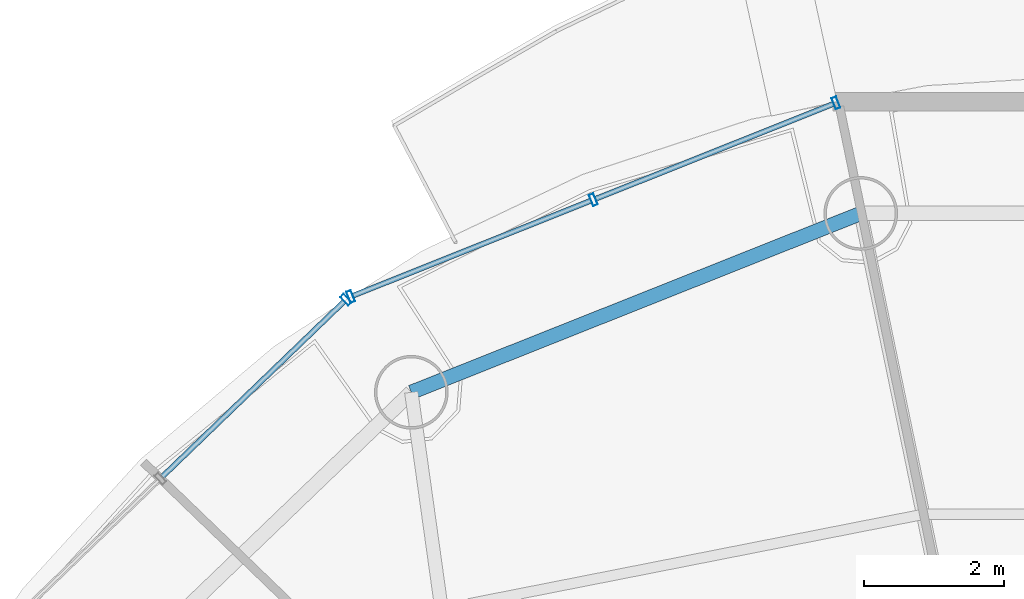
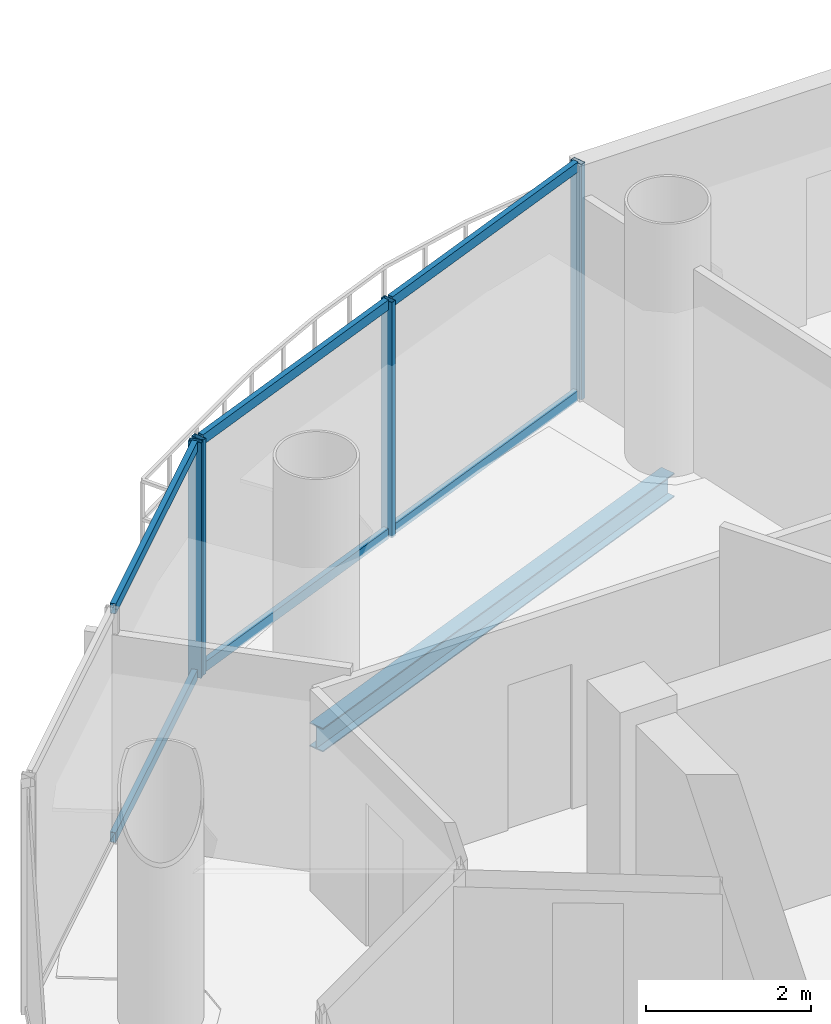
# One storey, part 13 of 23: 10 members, 1 beam, 2 elements without a shape of their own.
"""IFC4 building model written with IfcOpenShell, lengths in metres."""

from ifc_helpers import new_model, si_unit, direction, frame, origin, origin_2d, place, context, subcontext, project, spatial, hollow_rectangle, i_section, extrude, source, transform, mapped, material, material_profile, profile_set, type_object, element, aggregate, save


model = new_model("IFC4")

# Units and contexts
model_context = context("Model", 3, precision=1e-05, world=origin(), true_north=direction((-0.2419218956, 0.970295726276)))
body_context = subcontext(model_context, "Body", "Model", "MODEL_VIEW")
ifc_project = project(units=[si_unit("LENGTHUNIT", "METRE"), si_unit("AREAUNIT", "SQUARE_METRE"), si_unit("VOLUMEUNIT", "CUBIC_METRE"), si_unit("PLANEANGLEUNIT", "RADIAN"), si_unit("MASSUNIT", "GRAM", prefix="KILO")], contexts=[model_context])

# Site, building, storey
site_placement = place(None, origin())
site = spatial("IfcSite", under=ifc_project, at=site_placement, CompositionType="ELEMENT")
building_placement = place(site_placement, origin())
building = spatial("IfcBuilding", under=site, at=building_placement, Name="Cobrevalo Terracotta Tower", CompositionType="ELEMENT")
storey_placement = place(building_placement, frame((0.0, 0.0, 259.449951171875)))
storey = spatial("IfcBuildingStorey", under=building, at=storey_placement, Name="L68", CompositionType="ELEMENT", Elevation=259.449951171875)

# Beam
ifc_material_1 = material(Name="Steel S355", Category="steel")
ifc_material_profile_1 = material_profile(ifc_material_1, i_section(OverallWidth=0.205078125, OverallDepth=0.35400390625, WebThickness=0.009521484375, FlangeThickness=0.016845703125, at=origin_2d()), Name="W 360x79")
ifc_profile_set_1 = profile_set([ifc_material_profile_1], Name="Steel S355")
beam_type = type_object("IfcBeamType", Name="Structural Spandrel W 360x79 (Steel S355)", PredefinedType="SPANDREL", material=ifc_profile_set_1)
beam_placement = place(storey_placement, frame((34.537109375, 43.5224609375, -0.43701171875), z_axis=(-0.929149986048, -0.369702993533, 0.0), x_axis=(0.369702993533, -0.929149986048, 0.0)))
element("IfcBeam", 1, at=beam_placement, inside=storey, type_object=beam_type, Name="L68 perimeter ring spandrel 05", PredefinedType="SPANDREL", context=body_context, shape_type="SweptSolid", body=[
    extrude(i_section(OverallWidth=0.205078125, OverallDepth=0.35400390625, WebThickness=0.009521484375, FlangeThickness=0.016845703125, at=origin_2d()), origin(), (0.0, 0.0, 1.0), 6.88623046875),
])

# Curtain wall, members
ifc_material_2 = material(Name="Anodized aluminium", Category="aluminium")
curtain_wall_type = type_object("IfcCurtainWallType", Name="Upper-tower triple-glazed penthouse curtain wall CW-U3", PredefinedType="NOTDEFINED", material=ifc_material_2)
curtain_wall_1_placement = place(storey_placement, origin())
curtain_wall_1 = element("IfcCurtainWall", 2, at=curtain_wall_1_placement, inside=storey, type_object=curtain_wall_type, Name="L68 curtain wall CW-L68-S05", PredefinedType="NOTDEFINED")
ifc_material_profile_2 = material_profile(ifc_material_2, hollow_rectangle(XDim=0.070068359375, YDim=0.169921875, WallThickness=0.00439453125, at=origin_2d()), Name="CWM 70x170")
ifc_profile_set_2 = profile_set([ifc_material_profile_2], Name="Anodized aluminium")
member_type_1 = type_object("IfcMemberType", Name="Upper tower unitised mullion 70x170", PredefinedType="MULLION", material=ifc_profile_set_2)
shared_shape_1 = source(origin(), body_context, "Body", "SweptSolid", [
    extrude(hollow_rectangle(XDim=0.070068359375, YDim=0.169921875, WallThickness=0.00439453125, at=origin_2d()), origin(), (0.0, 0.0, 1.0), 3.489990234375),
])
member_1_placement = place(storey_placement, frame((34.183837890625, 45.096435546875, 0.0), z_axis=(0.0, 0.0, 1.0), x_axis=(-0.928718980883, -0.370784377433, 0.0)))
member_1 = element("IfcMember", 3, at=member_1_placement, type_object=member_type_1, Name="CW-L68-S05 vertical mullion 01", PredefinedType="MULLION", context=body_context, shape_type="MappedRepresentation", body=[
    mapped(shared_shape_1, transform((0.0, 0.0, 0.0), scale=1.0)),
])
member_2_placement = place(storey_placement, frame((30.729736328125, 43.71728515625, 0.0), z_axis=(0.0, 0.0, 1.0), x_axis=(-0.928718980883, -0.370784377433, 0.0)))
member_2 = element("IfcMember", 4, at=member_2_placement, type_object=member_type_1, Name="CW-L68-S05 vertical mullion 02", PredefinedType="MULLION", context=body_context, shape_type="MappedRepresentation", body=[
    mapped(shared_shape_1, transform((0.0, 0.0, 0.0), scale=1.0)),
])
member_3_placement = place(storey_placement, frame((27.275634765625, 42.33837890625, 0.0), z_axis=(0.0, 0.0, 1.0), x_axis=(-0.928718980883, -0.370784377433, 0.0)))
member_3 = element("IfcMember", 5, at=member_3_placement, type_object=member_type_1, Name="CW-L68-S05 vertical mullion 03", PredefinedType="MULLION", context=body_context, shape_type="MappedRepresentation", body=[
    mapped(shared_shape_1, transform((0.0, 0.0, 0.0), scale=1.0)),
])

curtain_wall_2_placement = place(storey_placement, origin())
curtain_wall_2 = element("IfcCurtainWall", 6, at=curtain_wall_2_placement, inside=storey, type_object=curtain_wall_type, Name="L68 curtain wall CW-L68-S06", PredefinedType="NOTDEFINED")
member_4_placement = place(storey_placement, frame((27.209716796875, 42.2958984375, 0.0), z_axis=(0.0, 0.0, 1.0), x_axis=(-0.71999418085, -0.69398010025, 0.0)))
member_4 = element("IfcMember", 7, at=member_4_placement, type_object=member_type_1, Name="CW-L68-S06 vertical mullion 01", PredefinedType="MULLION", context=body_context, shape_type="MappedRepresentation", body=[
    mapped(shared_shape_1, transform((0.0, 0.0, 0.0), scale=1.0)),
])
ifc_material_profile_3 = material_profile(ifc_material_2, hollow_rectangle(XDim=0.074951171875, YDim=0.14990234375, WallThickness=0.00439453125, at=origin_2d()), Name="CWT 75x150")
ifc_profile_set_3 = profile_set([ifc_material_profile_3], Name="Anodized aluminium")
member_type_2 = type_object("IfcMemberType", Name="Tower unitised aluminium transom 75x150", PredefinedType="USERDEFINED", material=ifc_profile_set_3)
shared_shape_2 = source(origin(), body_context, "Body", "SweptSolid", [
    extrude(hollow_rectangle(XDim=0.074951171875, YDim=0.14990234375, WallThickness=0.00439453125, at=origin_2d()), origin(), (0.0, 0.0, 1.0), 3.59130859375),
])
member_5_placement = place(storey_placement, frame((27.180908203125, 42.26806640625, 0.050048828125), z_axis=(-0.720005628362, -0.693968223427, 0.0), x_axis=(0.693968223427, -0.720005628362, 0.0)))
member_5 = element("IfcMember", 8, at=member_5_placement, type_object=member_type_2, Name="CW-L68-S06 transom B01-T1", ObjectType="TRANSOM", PredefinedType="USERDEFINED", context=body_context, shape_type="MappedRepresentation", body=[
    mapped(shared_shape_2, transform((0.0, 0.0, 0.0), scale=1.0)),
])
member_6_placement = place(storey_placement, frame((27.180908203125, 42.26806640625, 3.43994140625), z_axis=(-0.720005628362, -0.693968223427, 0.0), x_axis=(0.693968223427, -0.720005628362, 0.0)))
member_6 = element("IfcMember", 9, at=member_6_placement, type_object=member_type_2, Name="CW-L68-S06 transom B01-T2", ObjectType="TRANSOM", PredefinedType="USERDEFINED", context=body_context, shape_type="MappedRepresentation", body=[
    mapped(shared_shape_2, transform((0.0, 0.0, 0.0), scale=1.0)),
])
aggregate(curtain_wall_2, [member_4, member_5, member_6])

# Member
shared_shape_3 = source(origin(), body_context, "Body", "SweptSolid", [
    extrude(hollow_rectangle(XDim=0.074951171875, YDim=0.14990234375, WallThickness=0.00439453125, at=origin_2d()), origin(), (0.0, 0.0, 1.0), 3.63916015625),
])
member_7_placement = place(storey_placement, frame((34.146728515625, 45.08154296875, 0.050048828125), z_axis=(-0.928712471544, -0.370800681227, 0.0), x_axis=(0.370800681227, -0.928712471544, 0.0)))
member_7 = element("IfcMember", 10, at=member_7_placement, type_object=member_type_2, Name="CW-L68-S05 transom B01-T1", ObjectType="TRANSOM", PredefinedType="USERDEFINED", context=body_context, shape_type="MappedRepresentation", body=[
    mapped(shared_shape_3, transform((0.0, 0.0, 0.0), scale=1.0)),
])

member_8_placement = place(storey_placement, frame((34.146728515625, 45.08154296875, 3.43994140625), z_axis=(-0.928712471544, -0.370800681227, 0.0), x_axis=(0.370800681227, -0.928712471544, 0.0)))
member_8 = element("IfcMember", 11, at=member_8_placement, type_object=member_type_2, Name="CW-L68-S05 transom B01-T2", ObjectType="TRANSOM", PredefinedType="USERDEFINED", context=body_context, shape_type="MappedRepresentation", body=[
    mapped(shared_shape_3, transform((0.0, 0.0, 0.0), scale=1.0)),
])

member_9_placement = place(storey_placement, frame((30.692626953125, 43.70263671875, 0.050048828125), z_axis=(-0.928712471544, -0.370800681227, 0.0), x_axis=(0.370800681227, -0.928712471544, 0.0)))
member_9 = element("IfcMember", 12, at=member_9_placement, type_object=member_type_2, Name="CW-L68-S05 transom B02-T1", ObjectType="TRANSOM", PredefinedType="USERDEFINED", context=body_context, shape_type="MappedRepresentation", body=[
    mapped(shared_shape_3, transform((0.0, 0.0, 0.0), scale=1.0)),
])

member_10_placement = place(storey_placement, frame((30.692626953125, 43.70263671875, 3.43994140625), z_axis=(-0.928712471544, -0.370800681227, 0.0), x_axis=(0.370800681227, -0.928712471544, 0.0)))
member_10 = element("IfcMember", 13, at=member_10_placement, type_object=member_type_2, Name="CW-L68-S05 transom B02-T2", ObjectType="TRANSOM", PredefinedType="USERDEFINED", context=body_context, shape_type="MappedRepresentation", body=[
    mapped(shared_shape_3, transform((0.0, 0.0, 0.0), scale=1.0)),
])

aggregate(curtain_wall_1, [member_1, member_2, member_3, member_7, member_8, member_9, member_10])

save(model, "model.ifc")
